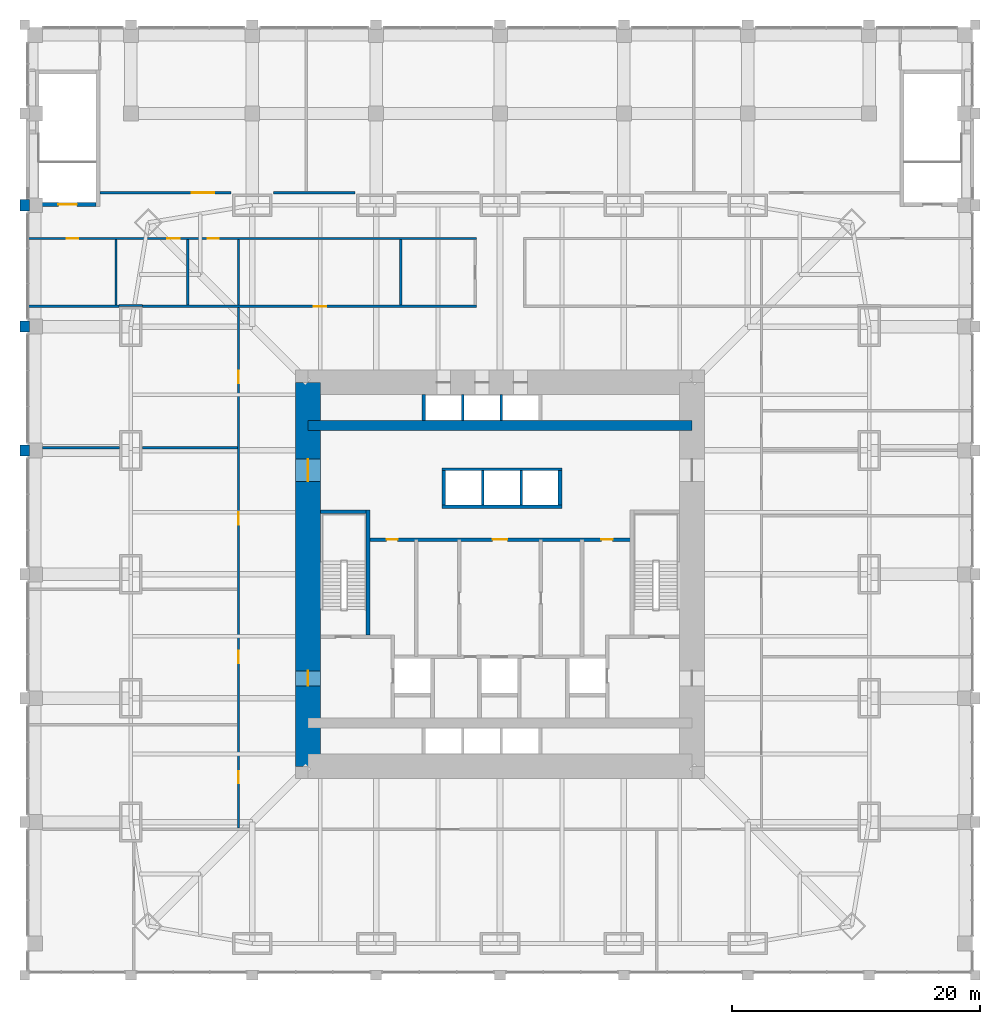
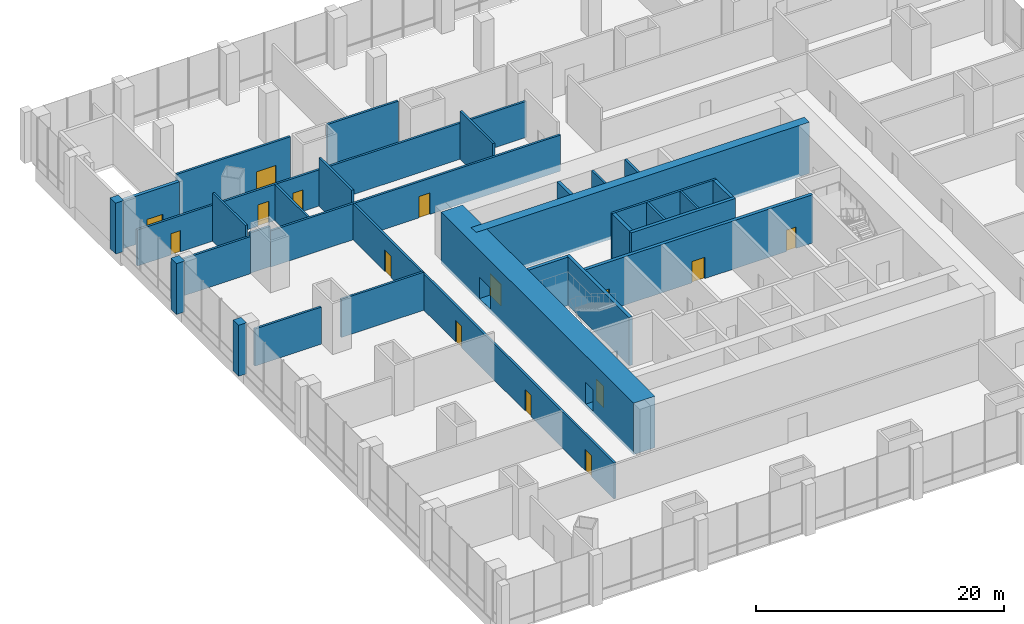
# One storey, part 18 of 22: 31 walls, 15 doors, 15 openings.
"""IFC4 building model written with IfcOpenShell, lengths in metres."""

import ifcopenshell
import ifcopenshell.guid

model = None  # the IFC model being written
_history = None  # IfcOwnerHistory: only IFC2X3 demands one
_inside = {}  # id of a spatial element -> (the spatial element, [elements in it])
_under = {}  # id of a project, library or spatial element -> (it, [spatial elements below it])
_declared = {}  # id of a project -> (the project, [libraries it declares])
_typed = {}  # id of a type object -> (the type object, [elements of that type])
_made_of = {}  # id of a material, layer set ... -> (it, [elements and type objects made of it])


def new_model(schema):
    """Start an empty IFC model of exactly this schema.

    Asked for "IFC4X3", IfcOpenShell would pick the latest addendum, in which some entities
    have other attributes; the version numbers below select the first issue.
    IFC2X3 requires an IfcOwnerHistory on every rooted entity: one is made here for all.
    """
    global model, _history
    if schema == "IFC4X3":
        model = ifcopenshell.file(schema_version=(4, 3, 0, 0))
    else:
        model = ifcopenshell.file(schema=schema)
    _inside.clear()
    _under.clear()
    _declared.clear()
    _typed.clear()
    _made_of.clear()
    _history = None
    if model.schema == "IFC2X3":
        org = make("IfcOrganization", Name="unknown")
        user = make(
            "IfcPersonAndOrganization",
            ThePerson=make("IfcPerson", FamilyName="unknown"),
            TheOrganization=org,
        )
        app = make(
            "IfcApplication",
            ApplicationDeveloper=org,
            Version="unknown",
            ApplicationFullName="unknown",
            ApplicationIdentifier="unknown",
        )
        _history = make(
            "IfcOwnerHistory",
            OwningUser=user,
            OwningApplication=app,
            ChangeAction="ADDED",
            CreationDate=0,
        )
    return model


def make(cls, **values):
    """One entity of the class cls with the attributes given. An attribute that is None is left unset."""
    return model.create_entity(
        cls, **{name: value for name, value in values.items() if value is not None}
    )


def rooted(cls, **values):
    """An entity with a GlobalId (a new one), such as an element, a storey or a relation."""
    return make(cls, GlobalId=ifcopenshell.guid.new(), OwnerHistory=_history, **values)


def si_unit(unit_type, name, prefix=None):
    """IfcSIUnit, for example si_unit("LENGTHUNIT", "METRE", prefix="MILLI")."""
    return make("IfcSIUnit", UnitType=unit_type, Prefix=prefix, Name=name)


def assignment(units):
    """IfcUnitAssignment: the units of a project."""
    return None if units is None else make("IfcUnitAssignment", Units=units)


def point(xyz):
    """IfcCartesianPoint."""
    return None if xyz is None else make("IfcCartesianPoint", Coordinates=xyz)


def direction(xyz):
    """IfcDirection."""
    return None if xyz is None else make("IfcDirection", DirectionRatios=xyz)


def frame(location, z_axis=None, x_axis=None):
    """IfcAxis2Placement3D, a coordinate frame: its origin and axes. An axis left out is left unset."""
    return make(
        "IfcAxis2Placement3D",
        Location=point(location),
        Axis=direction(z_axis),
        RefDirection=direction(x_axis),
    )


def frame_2d(location, x_axis=None):
    """IfcAxis2Placement2D, a coordinate frame in the plane: its origin and x axis."""
    return make(
        "IfcAxis2Placement2D", Location=point(location), RefDirection=direction(x_axis)
    )


def origin():
    """The frame at (0, 0, 0) with its axes left unset."""
    return frame((0.0, 0.0, 0.0))


def place(relative_to, where):
    """IfcLocalPlacement: puts the frame where relative to a parent placement (None: the world)."""
    return make(
        "IfcLocalPlacement", PlacementRelTo=relative_to, RelativePlacement=where
    )


def context(
    kind, dimensions, precision=None, world=None, true_north=None, identifier=None
):
    """IfcGeometricRepresentationContext, for example the 3D "Model" context."""
    return make(
        "IfcGeometricRepresentationContext",
        ContextIdentifier=identifier,
        ContextType=kind,
        CoordinateSpaceDimension=dimensions,
        Precision=precision,
        WorldCoordinateSystem=world,
        TrueNorth=true_north,
    )


def subcontext(parent, identifier, kind, view, scale=None):
    """IfcGeometricRepresentationSubContext, for example "Body" below "Model"."""
    return make(
        "IfcGeometricRepresentationSubContext",
        ContextIdentifier=identifier,
        ContextType=kind,
        ParentContext=parent,
        TargetScale=scale,
        TargetView=view,
    )


def project(units=None, contexts=None):
    """IfcProject with its units and contexts."""
    return rooted(
        "IfcProject",
        Name="project",
        RepresentationContexts=contexts,
        UnitsInContext=assignment(units),
    )


def spatial(cls, under=None, at=None, **own):
    """A site, building, storey or space (cls), placed at a placement, below another one or the project."""
    s = rooted(cls, ObjectPlacement=at, **own)
    if under is not None:
        _under.setdefault(under.id(), (under, []))[1].append(s)
    return s


def profile(cls, at=None, kind="AREA", **sizes):
    """A parametric profile (cls). Its sizes go by their IFC names, for example OverallWidth=200.0."""
    return make(cls, ProfileType=kind, Position=at, **sizes)


def rectangle(**sizes):
    """IfcRectangleProfileDef."""
    return profile("IfcRectangleProfileDef", **sizes)


def extrude(swept, where, along, depth):
    """IfcExtrudedAreaSolid: the profile swept, set in the frame where, extruded along a direction by depth."""
    return make(
        "IfcExtrudedAreaSolid",
        SweptArea=swept,
        Position=where,
        ExtrudedDirection=direction(along),
        Depth=depth,
    )


def shape(context_of_items, identifier, shape_type, items):
    """IfcShapeRepresentation: the items that make up one representation, for example the "Body"."""
    return make(
        "IfcShapeRepresentation",
        ContextOfItems=context_of_items,
        RepresentationIdentifier=identifier,
        RepresentationType=shape_type,
        Items=items,
    )


def material(Name=None, Category=None):
    """IfcMaterial."""
    return make("IfcMaterial", Name=Name, Category=Category)


def layer(
    of_material, thickness, ventilated=None, Name=None, Category=None, Priority=None
):
    """IfcMaterialLayer: one layer of a wall or slab, of a material (None: an air gap)."""
    return make(
        "IfcMaterialLayer",
        Material=of_material,
        LayerThickness=thickness,
        IsVentilated=ventilated,
        Name=Name,
        Category=Category,
        Priority=Priority,
    )


def layer_set(layers, Name=None):
    """IfcMaterialLayerSet."""
    return make("IfcMaterialLayerSet", MaterialLayers=layers, LayerSetName=Name)


def made_of(thing, what):
    """Note that an element or type object is made of a material, layer set ...; save() writes the relation."""
    if what is not None:
        _made_of.setdefault(what.id(), (what, []))[1].append(thing)
    return thing


def type_object(cls, material=None, **own):
    """A type object (cls), such as IfcWallType, which elements share."""
    return made_of(rooted(cls, **own), material)


def element(
    cls,
    number,
    at=None,
    inside=None,
    cuts=None,
    type_object=None,
    material=None,
    context=None,
    identifier="Body",
    shape_type=None,
    held_by="IfcProductDefinitionShape",
    body=None,
    shapes=None,
    **own,
):
    """One element of the class cls, such as IfcWall. Its Tag is "e" and its number.

    at: its placement. inside: the storey or other place that contains it. cuts: it is an
    opening in that element (IfcRelVoidsElement). A single representation is given by context,
    identifier, shape_type and body (its items); several are given by shapes. held_by: the class
    of the entity that holds the representations. save() writes the other relations.
    """
    e = rooted(cls, Tag="e%d" % number, ObjectPlacement=at, **own)
    if body is not None:
        shapes = [shape(context, identifier, shape_type, body)]
    if shapes is not None:
        e.Representation = make(held_by, Representations=shapes)
    if inside is not None:
        _inside.setdefault(inside.id(), (inside, []))[1].append(e)
    if cuts is not None:
        rooted(
            "IfcRelVoidsElement", RelatingBuildingElement=cuts, RelatedOpeningElement=e
        )
    if type_object is not None:
        _typed.setdefault(type_object.id(), (type_object, []))[1].append(e)
    return made_of(e, material)


def fill(opening, filler):
    """IfcRelFillsElement: the door or window that sits in an opening."""
    return rooted(
        "IfcRelFillsElement",
        RelatingOpeningElement=opening,
        RelatedBuildingElement=filler,
    )


def aggregate(whole, parts):
    """IfcRelAggregates: a whole, such as a stair, and the parts it consists of."""
    return rooted("IfcRelAggregates", RelatingObject=whole, RelatedObjects=parts)


def save(model, path):
    """Write the relations noted so far, then the file.

    IfcRelAggregates (storeys below a building ...), IfcRelContainedInSpatialStructure (elements
    in a storey), IfcRelDefinesByType, IfcRelAssociatesMaterial and IfcRelDeclares: one each for
    every whole, place, type object, material and project.
    """
    for whole, parts in _under.values():
        aggregate(whole, parts)
    for where, things in _inside.values():
        rooted(
            "IfcRelContainedInSpatialStructure",
            RelatedElements=things,
            RelatingStructure=where,
        )
    for kind, things in _typed.values():
        rooted("IfcRelDefinesByType", RelatedObjects=things, RelatingType=kind)
    for what, things in _made_of.values():
        rooted("IfcRelAssociatesMaterial", RelatedObjects=things, RelatingMaterial=what)
    for by, libraries in _declared.values():
        rooted("IfcRelDeclares", RelatingContext=by, RelatedDefinitions=libraries)
    model.write(path)


model = new_model("IFC4")

# Units and contexts
model_context = context("Model", 3, precision=1e-05, world=origin(), true_north=direction((0.0, 1.0)))
body_context = subcontext(model_context, "Body", "Model", "MODEL_VIEW")
ifc_project = project(units=[si_unit("LENGTHUNIT", "METRE"), si_unit("AREAUNIT", "SQUARE_METRE"), si_unit("VOLUMEUNIT", "CUBIC_METRE"), si_unit("PLANEANGLEUNIT", "RADIAN"), si_unit("MASSUNIT", "GRAM", prefix="KILO")], contexts=[model_context])

# Site, building, storey
site_placement = place(None, origin())
site = spatial("IfcSite", under=ifc_project, at=site_placement, CompositionType="ELEMENT")
building_placement = place(site_placement, origin())
building = spatial("IfcBuilding", under=site, at=building_placement, Name="Khuree Lantern Residences", CompositionType="ELEMENT")
storey_placement = place(building_placement, frame((0.0, 0.0, 16.0)))
storey = spatial("IfcBuildingStorey", under=building, at=storey_placement, Name="L03", CompositionType="ELEMENT", Elevation=16.0)

# Walls
ifc_material_1 = material(Name="Dense concrete blockwork", Category="masonry")
ifc_layer_1 = layer(ifc_material_1, 0.300048828125)
ifc_layer_set_1 = layer_set([ifc_layer_1], Name="CORE PARTITION WALL CPW300 EI 120")
wall_type_1 = type_object("IfcWallType", Name="CORE PARTITION WALL CPW300 EI 120", PredefinedType="PARTITIONING", material=ifc_layer_set_1)
wall_1_placement = place(storey_placement, frame((-4.699951171875, 5.449951171875, 0.0), z_axis=(0.0, 0.0, 1.0), x_axis=(1.0, 0.0, 0.0)))
element("IfcWall", 1, at=wall_1_placement, inside=storey, type_object=wall_type_1, Name="L03 CORE WALL PHS", PredefinedType="PARTITIONING", context=body_context, shape_type="SweptSolid", body=[
    extrude(rectangle(XDim=9.699951171875, YDim=0.300048828125, at=frame_2d((4.85009765625, 0.0))), origin(), (0.0, 0.0, 1.0), 4.75),
])
for number, where, z_axis, x_axis, name in (
    (2, (-4.550048828125, 5.60009765625, 0.0), (0.0, 0.0, 1.0), (0.0, 1.0, 0.0), "L03 CORE WALL PHW"),
    (3, (4.85009765625, 5.60009765625, 0.0), (0.0, 0.0, 1.0), (0.0, 1.0, 0.0), "L03 CORE WALL PHE"),
):
    element("IfcWall", number, at=place(storey_placement, frame(where, z_axis=z_axis, x_axis=x_axis)), inside=storey, type_object=wall_type_1, Name=name, PredefinedType="PARTITIONING", context=body_context, shape_type="SweptSolid", body=[
        extrude(rectangle(XDim=2.7998046875, YDim=0.300048828125, at=frame_2d((1.39990234375, 0.0))), origin(), (0.0, 0.0, 1.0), 4.75),
    ])
wall_2_placement = place(storey_placement, frame((-6.14990234375, 12.39990234375, 0.0), z_axis=(0.0, 0.0, 1.0), x_axis=(0.0, 1.0, 0.0)))
element("IfcWall", 4, at=wall_2_placement, inside=storey, type_object=wall_type_1, Name="L03 CORE WALL PLW", PredefinedType="PARTITIONING", context=body_context, shape_type="SweptSolid", body=[
    extrude(rectangle(XDim=2.10009765625, YDim=0.300048828125, at=frame_2d((1.050048828125, 0.0))), origin(), (0.0, 0.0, 1.0), 4.75),
])

# Wall, openings, doors
wall_3_placement = place(storey_placement, frame((-10.64990234375, 2.800048828125, 0.0), z_axis=(0.0, 0.0, 1.0), x_axis=(1.0, 0.0, 0.0)))
wall_3 = element("IfcWall", 5, at=wall_3_placement, inside=storey, type_object=wall_type_1, Name="L03 CORE WALL LLS", PredefinedType="PARTITIONING", context=body_context, shape_type="SweptSolid", body=[
    extrude(rectangle(XDim=21.2998046875, YDim=0.300048828125, at=frame_2d((10.64990234375, 0.0))), origin(), (0.0, 0.0, 1.0), 4.75),
])
opening_1_placement = place(wall_3_placement, frame((10.050048828125, 0.0, 0.0)))
opening_1 = element("IfcOpeningElement", 6, at=opening_1_placement, cuts=wall_3, Name="Opening 03-013", PredefinedType="OPENING", context=body_context, shape_type="SweptSolid", body=[
    extrude(rectangle(XDim=1.199951171875, YDim=2.10009765625, at=frame_2d((0.60009765625, 1.050048828125))), frame((0.0, 0.16015625, 0.0), z_axis=(0.0, -1.0, 0.0), x_axis=(1.0, 0.0, 0.0)), (0.0, 0.0, 1.0), 0.320068359375),
])
opening_2_placement = place(wall_3_placement, frame((1.492919921875, 0.0, 0.0)))
opening_2 = element("IfcOpeningElement", 7, at=opening_2_placement, cuts=wall_3, Name="Opening 03-017", PredefinedType="OPENING", context=body_context, shape_type="SweptSolid", body=[
    extrude(rectangle(XDim=0.89990234375, YDim=2.10009765625, at=frame_2d((0.449951171875, 1.050048828125))), frame((0.0, 0.16015625, 0.0), z_axis=(0.0, -1.0, 0.0), x_axis=(1.0, 0.0, 0.0)), (0.0, 0.0, 1.0), 0.320068359375),
])
opening_3_placement = place(wall_3_placement, frame((18.8359375, 0.0, 0.0)))
opening_3 = element("IfcOpeningElement", 8, at=opening_3_placement, cuts=wall_3, Name="Opening 03-019", PredefinedType="OPENING", context=body_context, shape_type="SweptSolid", body=[
    extrude(rectangle(XDim=0.89990234375, YDim=2.10009765625, at=frame_2d((0.449951171875, 1.050048828125))), frame((0.0, 0.16015625, 0.0), z_axis=(0.0, -1.0, 0.0), x_axis=(1.0, 0.0, 0.0)), (0.0, 0.0, 1.0), 0.320068359375),
])
ifc_material_2 = material(Name="Steel door leaf in steel frame", Category="steel")
door_type_1 = type_object("IfcDoorType", Name="DOOR 1200X2100 EI 60", OperationType="SINGLE_SWING_LEFT", PredefinedType="DOOR", material=ifc_material_2)
door_1_placement = place(opening_1_placement, origin())
door_1 = element("IfcDoor", 9, at=door_1_placement, inside=storey, type_object=door_type_1, Name="Service lift lobby door 03-013", OperationType="SINGLE_SWING_LEFT", OverallHeight=2.10009765625, OverallWidth=1.199951171875, PredefinedType="DOOR", context=body_context, shape_type="SweptSolid", body=[
    extrude(rectangle(XDim=1.199951171875, YDim=2.10009765625, at=frame_2d((0.60009765625, 1.050048828125))), frame((0.0, 0.02490234375, 0.0), z_axis=(0.0, -1.0, 0.0), x_axis=(1.0, 0.0, 0.0)), (0.0, 0.0, 1.0), 0.050048828125),
])
fill(opening_1, door_1)
ifc_material_3 = material(Name="Timber door leaf in hardwood frame", Category="wood")
door_type_2 = type_object("IfcDoorType", Name="DOOR 900X2100", OperationType="SINGLE_SWING_LEFT", PredefinedType="DOOR", material=ifc_material_3)
door_2_placement = place(opening_2_placement, origin())
door_2 = element("IfcDoor", 10, at=door_2_placement, inside=storey, type_object=door_type_2, Name="Store door 03-017", OperationType="SINGLE_SWING_LEFT", OverallHeight=2.10009765625, OverallWidth=0.89990234375, PredefinedType="DOOR", context=body_context, shape_type="SweptSolid", body=[
    extrude(rectangle(XDim=0.89990234375, YDim=2.10009765625, at=frame_2d((0.449951171875, 1.050048828125))), frame((0.0, 0.02490234375, 0.0), z_axis=(0.0, -1.0, 0.0), x_axis=(1.0, 0.0, 0.0)), (0.0, 0.0, 1.0), 0.050048828125),
])
fill(opening_2, door_2)
door_type_3 = type_object("IfcDoorType", Name="DOOR 900X2100 RIGHT HAND", OperationType="SINGLE_SWING_RIGHT", PredefinedType="DOOR", material=ifc_material_3)
door_3_placement = place(opening_3_placement, origin())
door_3 = element("IfcDoor", 11, at=door_3_placement, inside=storey, type_object=door_type_3, Name="Store door 03-019", OperationType="SINGLE_SWING_RIGHT", OverallHeight=2.10009765625, OverallWidth=0.89990234375, PredefinedType="DOOR", context=body_context, shape_type="SweptSolid", body=[
    extrude(rectangle(XDim=0.89990234375, YDim=2.10009765625, at=frame_2d((0.449951171875, 1.050048828125))), frame((0.0, 0.02490234375, 0.0), z_axis=(0.0, -1.0, 0.0), x_axis=(1.0, 0.0, 0.0)), (0.0, 0.0, 1.0), 0.050048828125),
])
fill(opening_3, door_3)

ifc_material_4 = material(Name="Concrete C70/85", Category="concrete")
ifc_layer_2 = layer(ifc_material_4, 2.0)
ifc_layer_set_2 = layer_set([ifc_layer_2], Name="CW2000-C70 CORE WALL C70 2000")
wall_type_2 = type_object("IfcWallType", Name="CW2000-C70 CORE WALL C70 2000", PredefinedType="SHEAR", material=ifc_layer_set_2)
wall_4_placement = place(storey_placement, frame((-15.5, -15.5, -0.300048828125), z_axis=(0.0, 0.0, 1.0), x_axis=(0.0, 1.0, 0.0)))
wall_4 = element("IfcWall", 12, at=wall_4_placement, inside=storey, type_object=wall_type_2, Name="Core wall W", PredefinedType="SHEAR", context=body_context, shape_type="SweptSolid", body=[
    extrude(rectangle(XDim=31.0, YDim=2.0, at=frame_2d((15.5, 0.0))), origin(), (0.0, 0.0, 1.0), 5.050048828125),
])
opening_4_placement = place(wall_4_placement, frame((6.5, 0.0, 0.300048828125)))
opening_4 = element("IfcOpeningElement", 13, at=opening_4_placement, cuts=wall_4, Name="Opening 03-002", PredefinedType="OPENING", context=body_context, shape_type="SweptSolid", body=[
    extrude(rectangle(XDim=1.199951171875, YDim=2.10009765625, at=frame_2d((0.60009765625, 1.050048828125))), frame((0.0, 1.010009765625, 0.0), z_axis=(0.0, -1.0, 0.0), x_axis=(1.0, 0.0, 0.0)), (0.0, 0.0, 1.0), 2.02001953125),
])
opening_5_placement = place(wall_4_placement, frame((23.0, 0.0, 0.300048828125)))
opening_5 = element("IfcOpeningElement", 14, at=opening_5_placement, cuts=wall_4, Name="Opening 03-003", PredefinedType="OPENING", context=body_context, shape_type="SweptSolid", body=[
    extrude(rectangle(XDim=1.800048828125, YDim=2.10009765625, at=frame_2d((0.89990234375, 1.050048828125))), frame((0.0, 1.010009765625, 0.0), z_axis=(0.0, -1.0, 0.0), x_axis=(1.0, 0.0, 0.0)), (0.0, 0.0, 1.0), 2.02001953125),
])
door_type_4 = type_object("IfcDoorType", Name="LOBBY DOOR 1200X2100 EI 120", OperationType="SINGLE_SWING_LEFT", PredefinedType="DOOR", material=ifc_material_2)
door_4_placement = place(opening_4_placement, origin())
door_4 = element("IfcDoor", 15, at=door_4_placement, inside=storey, type_object=door_type_4, Name="Firefighting lobby door 03-002", OperationType="SINGLE_SWING_LEFT", OverallHeight=2.10009765625, OverallWidth=1.199951171875, PredefinedType="DOOR", context=body_context, shape_type="SweptSolid", body=[
    extrude(rectangle(XDim=1.199951171875, YDim=2.10009765625, at=frame_2d((0.60009765625, 1.050048828125))), frame((0.0, 0.02490234375, 0.0), z_axis=(0.0, -1.0, 0.0), x_axis=(1.0, 0.0, 0.0)), (0.0, 0.0, 1.0), 0.050048828125),
])
fill(opening_4, door_4)
door_type_5 = type_object("IfcDoorType", Name="LOBBY DOUBLE DOOR 1800X2100 EI 60", OperationType="DOUBLE_DOOR_SINGLE_SWING", PredefinedType="DOOR", material=ifc_material_2)
door_5_placement = place(opening_5_placement, origin())
door_5 = element("IfcDoor", 16, at=door_5_placement, inside=storey, type_object=door_type_5, Name="Lift lobby door 03-003", OperationType="DOUBLE_DOOR_SINGLE_SWING", OverallHeight=2.10009765625, OverallWidth=1.800048828125, PredefinedType="DOOR", context=body_context, shape_type="SweptSolid", body=[
    extrude(rectangle(XDim=1.800048828125, YDim=2.10009765625, at=frame_2d((0.89990234375, 1.050048828125))), frame((0.0, 0.02490234375, 0.0), z_axis=(0.0, -1.0, 0.0), x_axis=(1.0, 0.0, 0.0)), (0.0, 0.0, 1.0), 0.050048828125),
])
fill(opening_5, door_5)

# Walls
ifc_material_5 = material(Name="Flamed granite cladding on blockwork", Category="masonry")
ifc_layer_3 = layer(ifc_material_5, 0.75)
ifc_layer_set_3 = layer_set([ifc_layer_3], Name="PODIUM PIER PR1 900X750")
wall_type_3 = type_object("IfcWallType", Name="PODIUM PIER PR1 900X750", PredefinedType="SOLIDWALL", material=ifc_layer_set_3)
for number, where, z_axis, x_axis, name in (
    (17, (-38.375, 30.25, 0.0), (0.0, 0.0, 1.0), (0.0, -1.0, 0.0), "L03 WEST FACE PIER 2"),
    (18, (-38.375, 20.449951171875, 0.0), (0.0, 0.0, 1.0), (0.0, -1.0, 0.0), "L03 WEST FACE PIER 3"),
    (19, (-38.375, 10.449951171875, 0.0), (0.0, 0.0, 1.0), (0.0, -1.0, 0.0), "L03 WEST FACE PIER 4"),
):
    element("IfcWall", number, at=place(storey_placement, frame(where, z_axis=z_axis, x_axis=x_axis)), inside=storey, type_object=wall_type_3, Name=name, PredefinedType="SOLIDWALL", context=body_context, shape_type="SweptSolid", body=[
        extrude(rectangle(XDim=0.89990234375, YDim=0.75, at=frame_2d((0.449951171875, 0.0))), origin(), (0.0, 0.0, 1.0), 5.0),
    ])

# Wall, openings, doors
ifc_layer_4 = layer(ifc_material_1, 0.199951171875)
ifc_layer_set_4 = layer_set([ifc_layer_4], Name="ROOM WALL RMW200")
wall_type_4 = type_object("IfcWallType", Name="ROOM WALL RMW200", PredefinedType="SOLIDWALL", material=ifc_layer_set_4)
wall_5_placement = place(storey_placement, frame((-21.111083984375, -20.490966796875, 0.0), z_axis=(0.0, 0.0, 1.0), x_axis=(0.0, 1.0, 0.0)))
wall_5 = element("IfcWall", 20, at=wall_5_placement, inside=storey, type_object=wall_type_4, Name="L03 ROOM WALL 7", PredefinedType="SOLIDWALL", context=body_context, shape_type="SweptSolid", body=[
    extrude(rectangle(XDim=42.02197265625, YDim=0.199951171875, at=frame_2d((21.010986328125, 0.0))), origin(), (0.0, 0.0, 1.0), 3.550048828125),
])
opening_6_placement = place(wall_5_placement, frame((3.612548828125, 0.0, 0.0)))
opening_6 = element("IfcOpeningElement", 21, at=opening_6_placement, cuts=wall_5, Name="Opening 03-025", PredefinedType="OPENING", context=body_context, shape_type="SweptSolid", body=[
    extrude(rectangle(XDim=1.0, YDim=2.10009765625, at=frame_2d((0.5, 1.050048828125))), frame((0.0, 0.10986328125, 0.0), z_axis=(0.0, -1.0, 0.0), x_axis=(1.0, 0.0, 0.0)), (0.0, 0.0, 1.0), 0.219970703125),
])
opening_7_placement = place(wall_5_placement, frame((13.314453125, 0.0, 0.0)))
opening_7 = element("IfcOpeningElement", 22, at=opening_7_placement, cuts=wall_5, Name="Opening 03-026", PredefinedType="OPENING", context=body_context, shape_type="SweptSolid", body=[
    extrude(rectangle(XDim=1.0, YDim=2.10009765625, at=frame_2d((0.5, 1.050048828125))), frame((0.0, 0.10986328125, 0.0), z_axis=(0.0, -1.0, 0.0), x_axis=(1.0, 0.0, 0.0)), (0.0, 0.0, 1.0), 0.219970703125),
])
opening_8_placement = place(wall_5_placement, frame((24.49853515625, 0.0, 0.0)))
opening_8 = element("IfcOpeningElement", 23, at=opening_8_placement, cuts=wall_5, Name="Opening 03-027", PredefinedType="OPENING", context=body_context, shape_type="SweptSolid", body=[
    extrude(rectangle(XDim=1.0, YDim=2.10009765625, at=frame_2d((0.5, 1.050048828125))), frame((0.0, 0.10986328125, 0.0), z_axis=(0.0, -1.0, 0.0), x_axis=(1.0, 0.0, 0.0)), (0.0, 0.0, 1.0), 0.219970703125),
])
opening_9_placement = place(wall_5_placement, frame((35.907470703125, 0.0, 0.0)))
opening_9 = element("IfcOpeningElement", 24, at=opening_9_placement, cuts=wall_5, Name="Opening 03-028", PredefinedType="OPENING", context=body_context, shape_type="SweptSolid", body=[
    extrude(rectangle(XDim=1.0, YDim=2.10009765625, at=frame_2d((0.5, 1.050048828125))), frame((0.0, 0.10986328125, 0.0), z_axis=(0.0, -1.0, 0.0), x_axis=(1.0, 0.0, 0.0)), (0.0, 0.0, 1.0), 0.219970703125),
])
door_type_6 = type_object("IfcDoorType", Name="DOOR 1000X2100", OperationType="SINGLE_SWING_LEFT", PredefinedType="DOOR", material=ifc_material_3)
door_6_placement = place(opening_6_placement, origin())
door_6 = element("IfcDoor", 25, at=door_6_placement, inside=storey, type_object=door_type_6, Name="Male changing room door 03-025", OperationType="SINGLE_SWING_LEFT", OverallHeight=2.10009765625, OverallWidth=1.0, PredefinedType="DOOR", context=body_context, shape_type="SweptSolid", body=[
    extrude(rectangle(XDim=1.0, YDim=2.10009765625, at=frame_2d((0.5, 1.050048828125))), frame((0.0, 0.02490234375, 0.0), z_axis=(0.0, -1.0, 0.0), x_axis=(1.0, 0.0, 0.0)), (0.0, 0.0, 1.0), 0.050048828125),
])
fill(opening_6, door_6)
door_7_placement = place(opening_7_placement, origin())
door_7 = element("IfcDoor", 26, at=door_7_placement, inside=storey, type_object=door_type_6, Name="Female changing room door 03-026", OperationType="SINGLE_SWING_LEFT", OverallHeight=2.10009765625, OverallWidth=1.0, PredefinedType="DOOR", context=body_context, shape_type="SweptSolid", body=[
    extrude(rectangle(XDim=1.0, YDim=2.10009765625, at=frame_2d((0.5, 1.050048828125))), frame((0.0, 0.02490234375, 0.0), z_axis=(0.0, -1.0, 0.0), x_axis=(1.0, 0.0, 0.0)), (0.0, 0.0, 1.0), 0.050048828125),
])
fill(opening_7, door_7)
door_8_placement = place(opening_8_placement, origin())
door_8 = element("IfcDoor", 27, at=door_8_placement, inside=storey, type_object=door_type_6, Name="Steam and sauna suite door 03-027", OperationType="SINGLE_SWING_LEFT", OverallHeight=2.10009765625, OverallWidth=1.0, PredefinedType="DOOR", context=body_context, shape_type="SweptSolid", body=[
    extrude(rectangle(XDim=1.0, YDim=2.10009765625, at=frame_2d((0.5, 1.050048828125))), frame((0.0, 0.02490234375, 0.0), z_axis=(0.0, -1.0, 0.0), x_axis=(1.0, 0.0, 0.0)), (0.0, 0.0, 1.0), 0.050048828125),
])
fill(opening_8, door_8)
door_9_placement = place(opening_9_placement, origin())
door_9 = element("IfcDoor", 28, at=door_9_placement, inside=storey, type_object=door_type_6, Name="Treatment suite door 03-028", OperationType="SINGLE_SWING_LEFT", OverallHeight=2.10009765625, OverallWidth=1.0, PredefinedType="DOOR", context=body_context, shape_type="SweptSolid", body=[
    extrude(rectangle(XDim=1.0, YDim=2.10009765625, at=frame_2d((0.5, 1.050048828125))), frame((0.0, 0.02490234375, 0.0), z_axis=(0.0, -1.0, 0.0), x_axis=(1.0, 0.0, 0.0)), (0.0, 0.0, 1.0), 0.050048828125),
])
fill(opening_9, door_9)

# Walls
wall_6_placement = place(storey_placement, frame((-36.919921875, 10.221923828125, 0.0), z_axis=(0.0, 0.0, 1.0), x_axis=(1.0, 0.0, 0.0)))
element("IfcWall", 29, at=wall_6_placement, inside=storey, type_object=wall_type_4, Name="L03 ROOM WALL 16", PredefinedType="SOLIDWALL", context=body_context, shape_type="SweptSolid", body=[
    extrude(rectangle(XDim=6.18994140625, YDim=0.199951171875, at=frame_2d((3.094970703125, 0.0))), origin(), (0.0, 0.0, 1.0), 3.64990234375),
])
wall_7_placement = place(storey_placement, frame((-28.869873046875, 10.221923828125, 0.0), z_axis=(0.0, 0.0, 1.0), x_axis=(1.0, 0.0, 0.0)))
element("IfcWall", 30, at=wall_7_placement, inside=storey, type_object=wall_type_4, Name="L03 ROOM WALL 17", PredefinedType="SOLIDWALL", context=body_context, shape_type="SweptSolid", body=[
    extrude(rectangle(XDim=7.658935546875, YDim=0.199951171875, at=frame_2d((3.82958984375, 0.0))), origin(), (0.0, 0.0, 1.0), 3.741943359375),
])
wall_8_placement = place(storey_placement, frame((-38.074951171875, 21.631103515625, 0.0), z_axis=(0.0, 0.0, 1.0), x_axis=(1.0, 0.0, 0.0)))
element("IfcWall", 31, at=wall_8_placement, inside=storey, type_object=wall_type_4, Name="L03 ROOM WALL 19", PredefinedType="SOLIDWALL", context=body_context, shape_type="SweptSolid", body=[
    extrude(rectangle(XDim=7.324951171875, YDim=0.199951171875, at=frame_2d((3.66259765625, 0.0))), origin(), (0.0, 0.0, 1.0), 3.64990234375),
])

# Wall, opening, door
wall_9_placement = place(storey_placement, frame((-28.85009765625, 21.631103515625, 0.0), z_axis=(0.0, 0.0, 1.0), x_axis=(1.0, 0.0, 0.0)))
wall_9 = element("IfcWall", 32, at=wall_9_placement, inside=storey, type_object=wall_type_4, Name="L03 ROOM WALL 20", PredefinedType="SOLIDWALL", context=body_context, shape_type="SweptSolid", body=[
    extrude(rectangle(XDim=26.9501953125, YDim=0.199951171875, at=frame_2d((13.47509765625, 0.0))), origin(), (0.0, 0.0, 1.0), 3.550048828125),
])
opening_10_placement = place(wall_9_placement, frame((13.804443359375, 0.0, 0.0)))
opening_10 = element("IfcOpeningElement", 33, at=opening_10_placement, cuts=wall_9, Name="Opening 03-037", PredefinedType="OPENING", context=body_context, shape_type="SweptSolid", body=[
    extrude(rectangle(XDim=1.0, YDim=2.10009765625, at=frame_2d((0.5, 1.050048828125))), frame((0.0, 0.10986328125, 0.0), z_axis=(0.0, -1.0, 0.0), x_axis=(1.0, 0.0, 0.0)), (0.0, 0.0, 1.0), 0.219970703125),
])
door_10_placement = place(opening_10_placement, origin())
door_10 = element("IfcDoor", 34, at=door_10_placement, inside=storey, type_object=door_type_6, Name="First aid room door 03-037", OperationType="SINGLE_SWING_LEFT", OverallHeight=2.10009765625, OverallWidth=1.0, PredefinedType="DOOR", context=body_context, shape_type="SweptSolid", body=[
    extrude(rectangle(XDim=1.0, YDim=2.10009765625, at=frame_2d((0.5, 1.050048828125))), frame((0.0, 0.02490234375, 0.0), z_axis=(0.0, -1.0, 0.0), x_axis=(1.0, 0.0, 0.0)), (0.0, 0.0, 1.0), 0.050048828125),
])
fill(opening_10, door_10)

# Walls
wall_10_placement = place(storey_placement, frame((-30.75, 21.701904296875, 0.0), z_axis=(0.0, 0.0, 1.0), x_axis=(1.0, 0.0, 0.0)))
element("IfcWall", 35, at=wall_10_placement, inside=storey, type_object=wall_type_4, Name="L03 ROOM WALL 23", PredefinedType="SOLIDWALL", context=body_context, shape_type="SweptSolid", body=[
    extrude(rectangle(XDim=1.89990234375, YDim=0.199951171875, at=frame_2d((0.949951171875, 0.0))), origin(), (0.0, 0.0, 1.0), 3.9599609375),
])
wall_11_placement = place(storey_placement, frame((-31.0, 21.73095703125, 0.0), z_axis=(0.0, 0.0, 1.0), x_axis=(0.0, 1.0, 0.0)))
element("IfcWall", 36, at=wall_11_placement, inside=storey, type_object=wall_type_4, Name="L03 ROOM WALL 25", PredefinedType="SOLIDWALL", context=body_context, shape_type="SweptSolid", body=[
    extrude(rectangle(XDim=5.280029296875, YDim=0.199951171875, at=frame_2d((2.64013671875, 0.0))), origin(), (0.0, 0.0, 1.0), 4.75),
])
wall_12_placement = place(storey_placement, frame((-25.199951171875, 21.73095703125, 0.0), z_axis=(0.0, 0.0, 1.0), x_axis=(0.0, 1.0, 0.0)))
element("IfcWall", 37, at=wall_12_placement, inside=storey, type_object=wall_type_4, Name="L03 ROOM WALL 26", PredefinedType="SOLIDWALL", context=body_context, shape_type="SweptSolid", body=[
    extrude(rectangle(XDim=5.280029296875, YDim=0.199951171875, at=frame_2d((2.64013671875, 0.0))), origin(), (0.0, 0.0, 1.0), 3.550048828125),
])
for number, where, z_axis, x_axis, name in (
    (38, (-21.111083984375, 21.73095703125, 0.0), (0.0, 0.0, 1.0), (0.0, 1.0, 0.0), "L03 ROOM WALL 27"),
    (39, (-8.0, 21.73095703125, 0.0), (0.0, 0.0, 1.0), (0.0, 1.0, 0.0), "L03 ROOM WALL 28"),
):
    element("IfcWall", number, at=place(storey_placement, frame(where, z_axis=z_axis, x_axis=x_axis)), inside=storey, type_object=wall_type_4, Name=name, PredefinedType="SOLIDWALL", context=body_context, shape_type="SweptSolid", body=[
        extrude(rectangle(XDim=5.280029296875, YDim=0.199951171875, at=frame_2d((2.64013671875, 0.0))), origin(), (0.0, 0.0, 1.0), 4.75),
    ])

# Wall, openings, doors
wall_13_placement = place(storey_placement, frame((-38.074951171875, 27.111083984375, 0.0), z_axis=(0.0, 0.0, 1.0), x_axis=(1.0, 0.0, 0.0)))
wall_13 = element("IfcWall", 40, at=wall_13_placement, inside=storey, type_object=wall_type_4, Name="L03 ROOM WALL 32", PredefinedType="SOLIDWALL", context=body_context, shape_type="SweptSolid", body=[
    extrude(rectangle(XDim=36.175048828125, YDim=0.199951171875, at=frame_2d((18.08740234375, 0.0))), origin(), (0.0, 0.0, 1.0), 3.550048828125),
])
opening_11_placement = place(wall_13_placement, frame((3.114990234375, 0.0, 0.0)))
opening_11 = element("IfcOpeningElement", 41, at=opening_11_placement, cuts=wall_13, Name="Opening 03-033", PredefinedType="OPENING", context=body_context, shape_type="SweptSolid", body=[
    extrude(rectangle(XDim=0.89990234375, YDim=2.10009765625, at=frame_2d((0.449951171875, 1.050048828125))), frame((0.0, 0.10986328125, 0.0), z_axis=(0.0, -1.0, 0.0), x_axis=(1.0, 0.0, 0.0)), (0.0, 0.0, 1.0), 0.219970703125),
])
opening_12_placement = place(wall_13_placement, frame((11.22705078125, 0.0, 0.0)))
opening_12 = element("IfcOpeningElement", 42, at=opening_12_placement, cuts=wall_13, Name="Opening 03-034", PredefinedType="OPENING", context=body_context, shape_type="SweptSolid", body=[
    extrude(rectangle(XDim=1.0, YDim=2.10009765625, at=frame_2d((0.5, 1.050048828125))), frame((0.0, 0.10986328125, 0.0), z_axis=(0.0, -1.0, 0.0), x_axis=(1.0, 0.0, 0.0)), (0.0, 0.0, 1.0), 0.219970703125),
])
opening_13_placement = place(wall_13_placement, frame((14.469482421875, 0.0, 0.0)))
opening_13 = element("IfcOpeningElement", 43, at=opening_13_placement, cuts=wall_13, Name="Opening 03-035", PredefinedType="OPENING", context=body_context, shape_type="SweptSolid", body=[
    extrude(rectangle(XDim=0.89990234375, YDim=2.10009765625, at=frame_2d((0.449951171875, 1.050048828125))), frame((0.0, 0.10986328125, 0.0), z_axis=(0.0, -1.0, 0.0), x_axis=(1.0, 0.0, 0.0)), (0.0, 0.0, 1.0), 0.219970703125),
])
door_type_7 = type_object("IfcDoorType", Name="ACCESSIBLE WC DOOR 1000X2100", OperationType="SINGLE_SWING_LEFT", PredefinedType="DOOR", material=ifc_material_3)
door_11_placement = place(opening_12_placement, origin())
door_11 = element("IfcDoor", 44, at=door_11_placement, inside=storey, type_object=door_type_7, Name="Accessible WC door 03-034", OperationType="SINGLE_SWING_LEFT", OverallHeight=2.10009765625, OverallWidth=1.0, PredefinedType="DOOR", context=body_context, shape_type="SweptSolid", body=[
    extrude(rectangle(XDim=1.0, YDim=2.10009765625, at=frame_2d((0.5, 1.050048828125))), frame((0.0, 0.02490234375, 0.0), z_axis=(0.0, -1.0, 0.0), x_axis=(1.0, 0.0, 0.0)), (0.0, 0.0, 1.0), 0.050048828125),
])
fill(opening_12, door_11)
door_type_8 = type_object("IfcDoorType", Name="WC DOOR 900X2100", OperationType="SINGLE_SWING_LEFT", PredefinedType="DOOR", material=ifc_material_3)
door_12_placement = place(opening_11_placement, origin())
door_12 = element("IfcDoor", 45, at=door_12_placement, inside=storey, type_object=door_type_8, Name="Male WC door 03-033", OperationType="SINGLE_SWING_LEFT", OverallHeight=2.10009765625, OverallWidth=0.89990234375, PredefinedType="DOOR", context=body_context, shape_type="SweptSolid", body=[
    extrude(rectangle(XDim=0.89990234375, YDim=2.10009765625, at=frame_2d((0.449951171875, 1.050048828125))), frame((0.0, 0.02490234375, 0.0), z_axis=(0.0, -1.0, 0.0), x_axis=(1.0, 0.0, 0.0)), (0.0, 0.0, 1.0), 0.050048828125),
])
fill(opening_11, door_12)
door_13_placement = place(opening_13_placement, origin())
door_13 = element("IfcDoor", 46, at=door_13_placement, inside=storey, type_object=door_type_8, Name="Female WC door 03-035", OperationType="SINGLE_SWING_LEFT", OverallHeight=2.10009765625, OverallWidth=0.89990234375, PredefinedType="DOOR", context=body_context, shape_type="SweptSolid", body=[
    extrude(rectangle(XDim=0.89990234375, YDim=2.10009765625, at=frame_2d((0.449951171875, 1.050048828125))), frame((0.0, 0.02490234375, 0.0), z_axis=(0.0, -1.0, 0.0), x_axis=(1.0, 0.0, 0.0)), (0.0, 0.0, 1.0), 0.050048828125),
])
fill(opening_13, door_13)

# Wall, opening, door
wall_14_placement = place(storey_placement, frame((-32.280029296875, 30.800048828125, 0.0), z_axis=(0.0, 0.0, 1.0), x_axis=(1.0, 0.0, 0.0)))
wall_14 = element("IfcWall", 47, at=wall_14_placement, inside=storey, type_object=wall_type_4, Name="L03 ROOM WALL 34", PredefinedType="SOLIDWALL", context=body_context, shape_type="SweptSolid", body=[
    extrude(rectangle(XDim=10.579833984375, YDim=0.199951171875, at=frame_2d((5.2900390625, 0.0))), origin(), (0.0, 0.0, 1.0), 4.75),
])
opening_14_placement = place(wall_14_placement, frame((7.404541015625, 0.0, 0.0)))
opening_14 = element("IfcOpeningElement", 48, at=opening_14_placement, cuts=wall_14, Name="Opening 03-041", PredefinedType="OPENING", context=body_context, shape_type="SweptSolid", body=[
    extrude(rectangle(XDim=1.800048828125, YDim=2.39990234375, at=frame_2d((0.89990234375, 1.199951171875))), frame((0.0, 0.10986328125, 0.0), z_axis=(0.0, -1.0, 0.0), x_axis=(1.0, 0.0, 0.0)), (0.0, 0.0, 1.0), 0.219970703125),
])
door_type_9 = type_object("IfcDoorType", Name="DOUBLE DOOR 1800X2400", OperationType="DOUBLE_DOOR_SINGLE_SWING", PredefinedType="DOOR", material=ifc_material_3)
door_14_placement = place(opening_14_placement, origin())
door_14 = element("IfcDoor", 49, at=door_14_placement, inside=storey, type_object=door_type_9, Name="Table tennis room door 03-041", OperationType="DOUBLE_DOOR_SINGLE_SWING", OverallHeight=2.39990234375, OverallWidth=1.800048828125, PredefinedType="DOOR", context=body_context, shape_type="SweptSolid", body=[
    extrude(rectangle(XDim=1.800048828125, YDim=2.39990234375, at=frame_2d((0.89990234375, 1.199951171875))), frame((0.0, 0.02490234375, 0.0), z_axis=(0.0, -1.0, 0.0), x_axis=(1.0, 0.0, 0.0)), (0.0, 0.0, 1.0), 0.050048828125),
])
fill(opening_14, door_14)

# Walls
wall_15_placement = place(storey_placement, frame((-18.2998046875, 30.800048828125, 0.0), z_axis=(0.0, 0.0, 1.0), x_axis=(1.0, 0.0, 0.0)))
element("IfcWall", 50, at=wall_15_placement, inside=storey, type_object=wall_type_4, Name="L03 ROOM WALL 35", PredefinedType="SOLIDWALL", context=body_context, shape_type="SweptSolid", body=[
    extrude(rectangle(XDim=6.599609375, YDim=0.199951171875, at=frame_2d((3.2998046875, 0.0))), origin(), (0.0, 0.0, 1.0), 4.75),
])
ifc_layer_5 = layer(ifc_material_1, 0.199951171875)
ifc_layer_set_5 = layer_set([ifc_layer_5], Name="SHAFT WALL SHW200 EI 120")
wall_type_5 = type_object("IfcWallType", Name="SHAFT WALL SHW200 EI 120", PredefinedType="PARTITIONING", material=ifc_layer_set_5)
wall_16_placement = place(storey_placement, frame((-4.699951171875, 8.5, 0.0), z_axis=(0.0, 0.0, 1.0), x_axis=(1.0, 0.0, 0.0)))
element("IfcWall", 51, at=wall_16_placement, inside=storey, type_object=wall_type_5, Name="L03 CORE WALL PHN", PredefinedType="PARTITIONING", context=body_context, shape_type="SweptSolid", body=[
    extrude(rectangle(XDim=9.699951171875, YDim=0.199951171875, at=frame_2d((4.85009765625, 0.0))), origin(), (0.0, 0.0, 1.0), 4.75),
])
for number, where, z_axis, x_axis, name in (
    (52, (-1.39990234375, 5.60009765625, 0.0), (0.0, 0.0, 1.0), (0.0, 1.0, 0.0), "L03 CORE WALL PHD1"),
    (53, (1.699951171875, 5.60009765625, 0.0), (0.0, 0.0, 1.0), (0.0, 1.0, 0.0), "L03 CORE WALL PHD2"),
):
    element("IfcWall", number, at=place(storey_placement, frame(where, z_axis=z_axis, x_axis=x_axis)), inside=storey, type_object=wall_type_5, Name=name, PredefinedType="PARTITIONING", context=body_context, shape_type="SweptSolid", body=[
        extrude(rectangle(XDim=2.7998046875, YDim=0.199951171875, at=frame_2d((1.39990234375, 0.0))), origin(), (0.0, 0.0, 1.0), 4.75),
    ])
for number, where, z_axis, x_axis, name in (
    (54, (-3.0, 12.39990234375, 0.0), (0.0, 0.0, 1.0), (0.0, 1.0, 0.0), "L03 CORE WALL PLD1"),
    (55, (0.10009765625, 12.39990234375, 0.0), (0.0, 0.0, 1.0), (0.0, 1.0, 0.0), "L03 CORE WALL PLD2"),
):
    element("IfcWall", number, at=place(storey_placement, frame(where, z_axis=z_axis, x_axis=x_axis)), inside=storey, type_object=wall_type_5, Name=name, PredefinedType="PARTITIONING", context=body_context, shape_type="SweptSolid", body=[
        extrude(rectangle(XDim=2.10009765625, YDim=0.199951171875, at=frame_2d((1.050048828125, 0.0))), origin(), (0.0, 0.0, 1.0), 4.75),
    ])
ifc_layer_6 = layer(ifc_material_4, 0.800048828125)
ifc_layer_set_6 = layer_set([ifc_layer_6], Name="SP800-C70 CORE SPINE WALL C70 800")
wall_type_6 = type_object("IfcWallType", Name="SP800-C70 CORE SPINE WALL C70 800", PredefinedType="SHEAR", material=ifc_layer_set_6)
wall_17_placement = place(storey_placement, frame((-15.5, 12.0, -0.300048828125), z_axis=(0.0, 0.0, 1.0), x_axis=(1.0, 0.0, 0.0)))
element("IfcWall", 56, at=wall_17_placement, inside=storey, type_object=wall_type_6, Name="Core wall SPN", PredefinedType="SHEAR", context=body_context, shape_type="SweptSolid", body=[
    extrude(rectangle(XDim=31.0, YDim=0.800048828125, at=frame_2d((15.5, 0.0))), origin(), (0.0, 0.0, 1.0), 5.050048828125),
])
ifc_material_6 = material(Name="Concrete C50/60", Category="concrete")
ifc_layer_7 = layer(ifc_material_6, 0.300048828125)
ifc_layer_set_7 = layer_set([ifc_layer_7], Name="STAIR WALL SRW300 C50/60 REI 240")
wall_type_7 = type_object("IfcWallType", Name="STAIR WALL SRW300 C50/60 REI 240", PredefinedType="SOLIDWALL", material=ifc_layer_set_7)
wall_18_placement = place(storey_placement, frame((-10.64990234375, -4.89990234375, 0.0), z_axis=(0.0, 0.0, 1.0), x_axis=(0.0, 1.0, 0.0)))
element("IfcWall", 57, at=wall_18_placement, inside=storey, type_object=wall_type_7, Name="L03 STAIR WALL ST1E", PredefinedType="SOLIDWALL", context=body_context, shape_type="SweptSolid", body=[
    extrude(rectangle(XDim=10.099853515625, YDim=0.300048828125, at=frame_2d((5.0498046875, 0.0))), origin(), (0.0, 0.0, 1.0), 4.75),
])
wall_19_placement = place(storey_placement, frame((-14.5, 5.050048828125, 0.0), z_axis=(0.0, 0.0, 1.0), x_axis=(1.0, 0.0, 0.0)))
element("IfcWall", 58, at=wall_19_placement, inside=storey, type_object=wall_type_7, Name="L03 STAIR WALL ST1N", PredefinedType="SOLIDWALL", context=body_context, shape_type="SweptSolid", body=[
    extrude(rectangle(XDim=3.699951171875, YDim=0.300048828125, at=frame_2d((1.85009765625, 0.0))), origin(), (0.0, 0.0, 1.0), 4.75),
])

# Wall, opening, door
wall_20_placement = place(storey_placement, frame((-38.0, 29.85009765625, 0.0), z_axis=(0.0, 0.0, 1.0), x_axis=(1.0, 0.0, 0.0)))
wall_20 = element("IfcWall", 59, at=wall_20_placement, inside=storey, type_object=wall_type_7, Name="L03 STAIR ST3 WALL S", PredefinedType="SOLIDWALL", context=body_context, shape_type="SweptSolid", body=[
    extrude(rectangle(XDim=5.39990234375, YDim=0.300048828125, at=frame_2d((2.699951171875, 0.0))), origin(), (0.0, 0.0, 1.0), 4.75),
])
opening_15_placement = place(wall_20_placement, frame((2.35009765625, 0.0, 0.0)))
opening_15 = element("IfcOpeningElement", 60, at=opening_15_placement, cuts=wall_20, Name="Opening 03-020", PredefinedType="OPENING", context=body_context, shape_type="SweptSolid", body=[
    extrude(rectangle(XDim=1.5, YDim=2.10009765625, at=frame_2d((0.75, 1.050048828125))), frame((0.0, 0.16015625, 0.0), z_axis=(0.0, -1.0, 0.0), x_axis=(1.0, 0.0, 0.0)), (0.0, 0.0, 1.0), 0.320068359375),
])
door_type_10 = type_object("IfcDoorType", Name="STAIR DOOR 1500X2100 EI 120", OperationType="DOUBLE_DOOR_SINGLE_SWING", PredefinedType="DOOR", material=ifc_material_2)
door_15_placement = place(opening_15_placement, origin())
door_15 = element("IfcDoor", 61, at=door_15_placement, inside=storey, type_object=door_type_10, Name="Stair ST3 door 03-020", OperationType="DOUBLE_DOOR_SINGLE_SWING", OverallHeight=2.10009765625, OverallWidth=1.5, PredefinedType="DOOR", context=body_context, shape_type="SweptSolid", body=[
    extrude(rectangle(XDim=1.5, YDim=2.10009765625, at=frame_2d((0.75, 1.050048828125))), frame((0.0, 0.02490234375, 0.0), z_axis=(0.0, -1.0, 0.0), x_axis=(1.0, 0.0, 0.0)), (0.0, 0.0, 1.0), 0.050048828125),
])
fill(opening_15, door_15)

save(model, "model.ifc")
